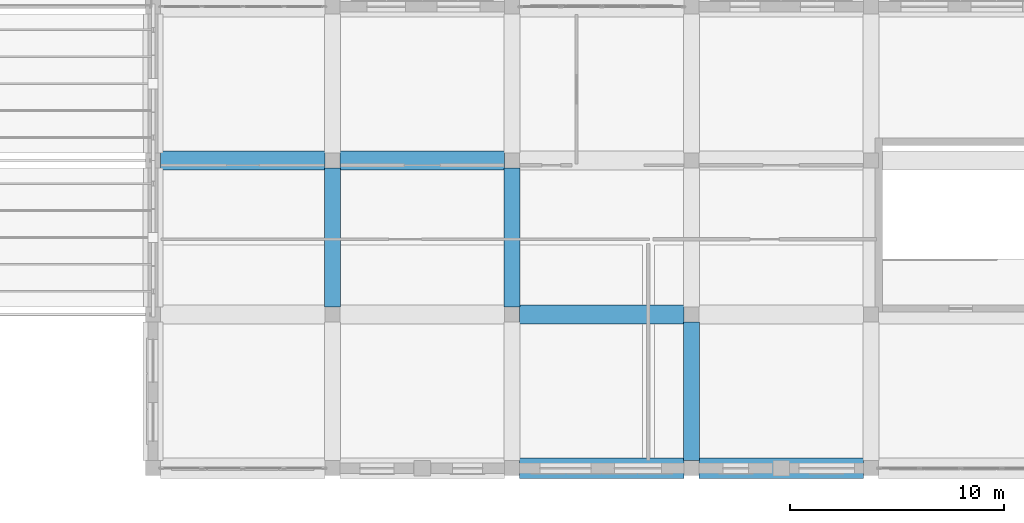
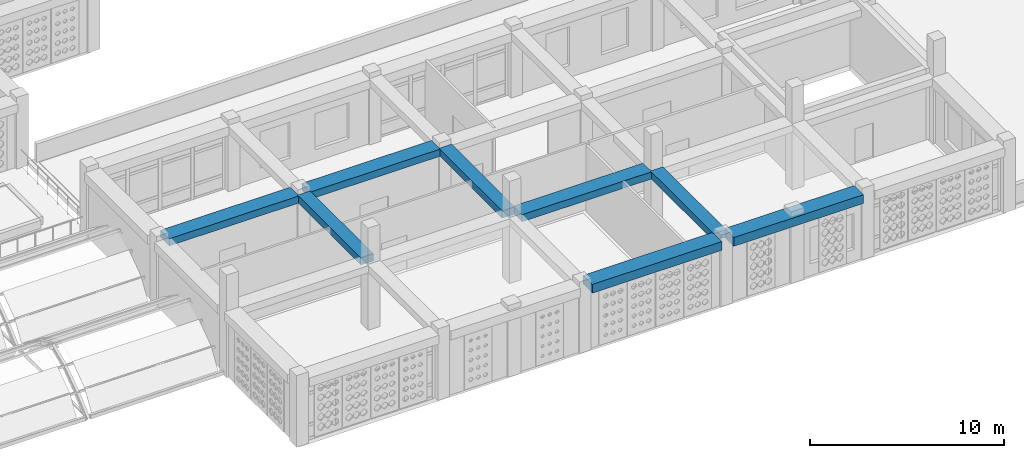
# One storey, part 16 of 100: 8 beams.
"""IFC4 building model written with IfcOpenShell, lengths in metres."""

from ifc_helpers import new_model, si_unit, derived_unit, direction, frame, origin, origin_2d, place, context, subcontext, project, spatial, rectangle, extrude, material, material_profile, profile_set, type_object, element, save


model = new_model("IFC4")

# Units and contexts
model_context = context("Model", 3, precision=1e-05, world=origin(), true_north=direction((0.0, 1.0)))
body_context = subcontext(model_context, "Body", "Model", "MODEL_VIEW")
ifc_project = project(units=[si_unit("LENGTHUNIT", "METRE"), si_unit("AREAUNIT", "SQUARE_METRE"), si_unit("VOLUMEUNIT", "CUBIC_METRE"), si_unit("PLANEANGLEUNIT", "RADIAN"), si_unit("MASSUNIT", "GRAM", prefix="KILO"), derived_unit("THERMALTRANSMITTANCEUNIT", [(si_unit("POWERUNIT", "WATT"), 1), (si_unit("LENGTHUNIT", "METRE"), -2), (si_unit("THERMODYNAMICTEMPERATUREUNIT", "KELVIN"), -1)])], contexts=[model_context])

# Site, building, storey
site_placement = place(None, origin())
site = spatial("IfcSite", under=ifc_project, at=site_placement, CompositionType="ELEMENT")
building_placement = place(site_placement, origin())
building = spatial("IfcBuilding", under=site, at=building_placement, Name="Veybourne Emporium", CompositionType="ELEMENT")
storey_placement = place(building_placement, frame((0.0, 0.0, 14.39990234375)))
storey = spatial("IfcBuildingStorey", under=building, at=storey_placement, Name="L03", CompositionType="ELEMENT", Elevation=14.39990234375)

# Beams
ifc_material = material(Name="Concrete C32/40", Category="concrete")
ifc_material_profile_1 = material_profile(ifc_material, rectangle(XDim=0.89990234375, YDim=0.449951171875, at=origin_2d()), Name="RC 900x450")
ifc_profile_set_1 = profile_set([ifc_material_profile_1], Name="Concrete C32/40")
beam_type_1 = type_object("IfcBeamType", Name="RCBeam_BB-03", PredefinedType="BEAM", material=ifc_profile_set_1)
beam_1_placement = place(storey_placement, frame((92.75, 14.39990234375, 3.955078125), z_axis=(1.0, 0.0, 0.0), x_axis=(0.0, 1.0, 0.0)))
element("IfcBeam", 1, at=beam_1_placement, inside=storey, type_object=beam_type_1, Name="L03 X-grid beam BB-03 (11,2)", PredefinedType="BEAM", context=body_context, shape_type="SweptSolid", body=[
    extrude(rectangle(XDim=0.89990234375, YDim=0.449951171875, at=origin_2d()), origin(), (0.0, 0.0, 1.0), 7.699951171875),
])
beam_2_placement = place(storey_placement, frame((101.14990234375, 14.39990234375, 3.955078125), z_axis=(1.0, 0.0, 0.0), x_axis=(0.0, 1.0, 0.0)))
element("IfcBeam", 2, at=beam_2_placement, inside=storey, type_object=beam_type_1, Name="L03 X-grid beam BB-03 (12,2)", PredefinedType="BEAM", context=body_context, shape_type="SweptSolid", body=[
    extrude(rectangle(XDim=0.89990234375, YDim=0.449951171875, at=origin_2d()), origin(), (0.0, 0.0, 1.0), 7.7001953125),
])
beam_3_placement = place(storey_placement, frame((109.550048828125, 7.199951171875, 3.955078125), z_axis=(1.0, 0.0, 0.0), x_axis=(0.0, 1.0, 0.0)))
element("IfcBeam", 3, at=beam_3_placement, inside=storey, type_object=beam_type_1, Name="L03 X-grid beam BB-03 (13,1)", PredefinedType="BEAM", context=body_context, shape_type="SweptSolid", body=[
    extrude(rectangle(XDim=0.89990234375, YDim=0.449951171875, at=origin_2d()), origin(), (0.0, 0.0, 1.0), 7.699951171875),
])
ifc_material_profile_2 = material_profile(ifc_material, rectangle(XDim=0.75, YDim=0.449951171875, at=origin_2d()), Name="RC 750x450")
ifc_profile_set_2 = profile_set([ifc_material_profile_2], Name="Concrete C32/40")
beam_type_2 = type_object("IfcBeamType", Name="RCBeam_BB-04", PredefinedType="BEAM", material=ifc_profile_set_2)
for number, where, z_axis, x_axis, name in (
    (4, (100.800048828125, 7.550048828125, 3.955078125), (0.0, 1.0, 0.0), (-1.0, 0.0, 0.0), "L03 Y-grid beam BB-04 (12,1)"),
    (5, (109.199951171875, 7.550048828125, 3.955078125), (0.0, 1.0, 0.0), (-1.0, 0.0, 0.0), "L03 Y-grid beam BB-04 (13,1)"),
    (6, (117.60009765625, 0.35009765625, 3.955078125), (0.0, 1.0, 0.0), (-1.0, 0.0, 0.0), "L03 Y-grid beam BB-04 (14,0)"),
):
    element("IfcBeam", number, at=place(storey_placement, frame(where, z_axis=z_axis, x_axis=x_axis)), inside=storey, type_object=beam_type_2, Name=name, PredefinedType="BEAM", context=body_context, shape_type="SweptSolid", body=[
        extrude(rectangle(XDim=0.75, YDim=0.449951171875, at=origin_2d()), origin(), (0.0, 0.0, 1.0), 6.5),
    ])
ifc_material_profile_3 = material_profile(ifc_material, rectangle(XDim=0.949951171875, YDim=0.550048828125, at=origin_2d()), Name="RC 950x550")
ifc_profile_set_3 = profile_set([ifc_material_profile_3], Name="Concrete C32/40")
beam_type_3 = type_object("IfcBeamType", Name="RCBeam_EB-01", PredefinedType="SPANDREL", material=ifc_profile_set_3)
for number, where, z_axis, x_axis, name in (
    (7, (109.550048828125, 0.0, 3.905029296875), (1.0, 0.0, 0.0), (0.0, 1.0, 0.0), "L03 X-grid beam EB-01 (13,0)"),
    (8, (117.949951171875, 0.0, 3.905029296875), (1.0, 0.0, 0.0), (0.0, 1.0, 0.0), "L03 X-grid beam EB-01 (14,0)"),
):
    element("IfcBeam", number, at=place(storey_placement, frame(where, z_axis=z_axis, x_axis=x_axis)), inside=storey, type_object=beam_type_3, Name=name, PredefinedType="SPANDREL", context=body_context, shape_type="SweptSolid", body=[
        extrude(rectangle(XDim=0.949951171875, YDim=0.550048828125, at=origin_2d()), origin(), (0.0, 0.0, 1.0), 7.699951171875),
    ])

save(model, "model.ifc")
